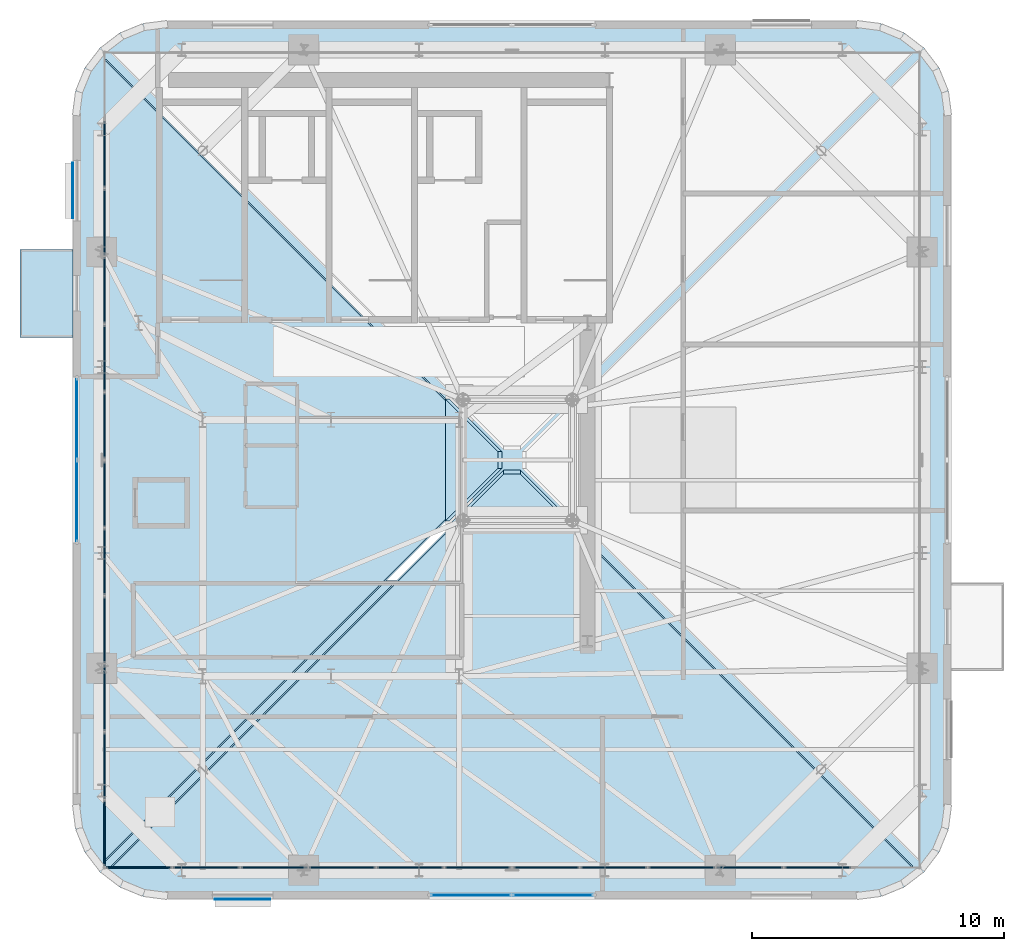
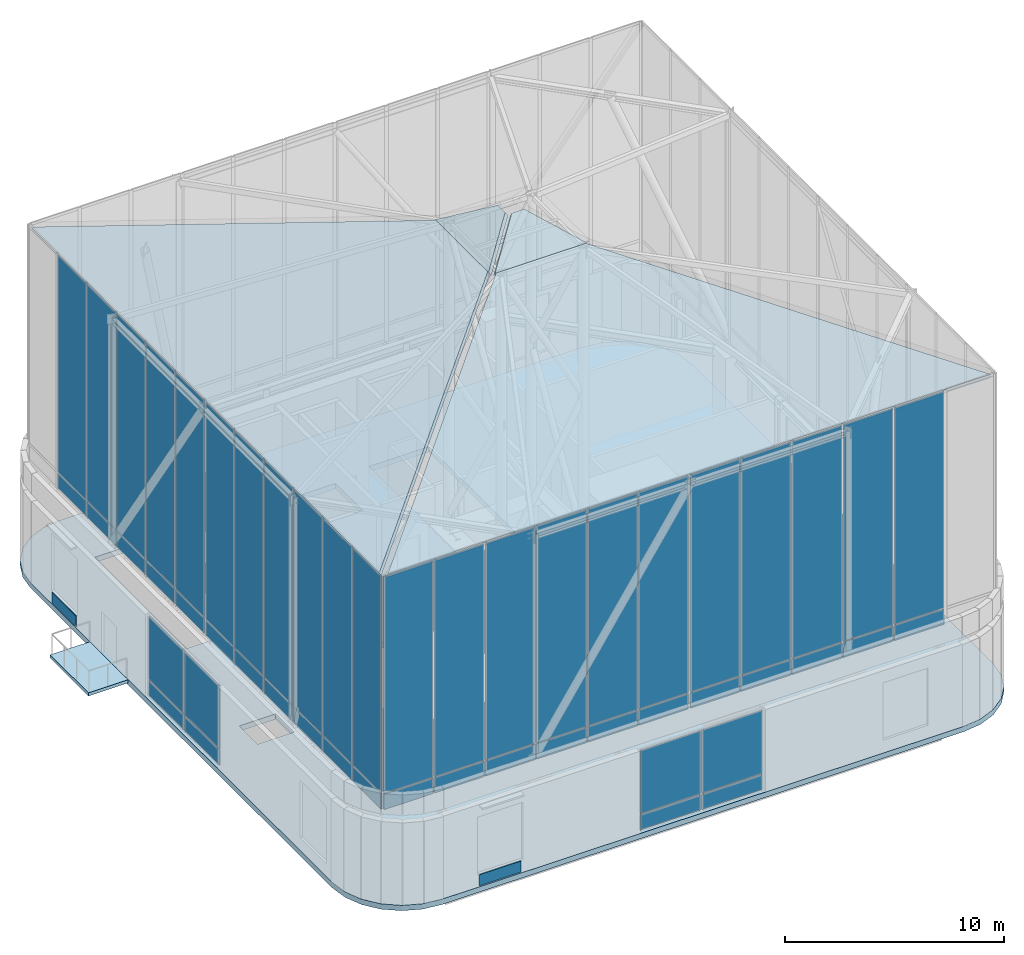
# One storey, part 9 of 15: 54 plates, 6 slabs, 6 elements without a shape of their own.
"""IFC4 building model written with IfcOpenShell, lengths in metres."""

import ifcopenshell
import ifcopenshell.guid

model = None  # the IFC model being written
_history = None  # IfcOwnerHistory: only IFC2X3 demands one
_inside = {}  # id of a spatial element -> (the spatial element, [elements in it])
_under = {}  # id of a project, library or spatial element -> (it, [spatial elements below it])
_declared = {}  # id of a project -> (the project, [libraries it declares])
_typed = {}  # id of a type object -> (the type object, [elements of that type])
_made_of = {}  # id of a material, layer set ... -> (it, [elements and type objects made of it])


def new_model(schema):
    """Start an empty IFC model of exactly this schema.

    Asked for "IFC4X3", IfcOpenShell would pick the latest addendum, in which some entities
    have other attributes; the version numbers below select the first issue.
    IFC2X3 requires an IfcOwnerHistory on every rooted entity: one is made here for all.
    """
    global model, _history
    if schema == "IFC4X3":
        model = ifcopenshell.file(schema_version=(4, 3, 0, 0))
    else:
        model = ifcopenshell.file(schema=schema)
    _inside.clear()
    _under.clear()
    _declared.clear()
    _typed.clear()
    _made_of.clear()
    _history = None
    if model.schema == "IFC2X3":
        org = make("IfcOrganization", Name="unknown")
        user = make(
            "IfcPersonAndOrganization",
            ThePerson=make("IfcPerson", FamilyName="unknown"),
            TheOrganization=org,
        )
        app = make(
            "IfcApplication",
            ApplicationDeveloper=org,
            Version="unknown",
            ApplicationFullName="unknown",
            ApplicationIdentifier="unknown",
        )
        _history = make(
            "IfcOwnerHistory",
            OwningUser=user,
            OwningApplication=app,
            ChangeAction="ADDED",
            CreationDate=0,
        )
    return model


def make(cls, **values):
    """One entity of the class cls with the attributes given. An attribute that is None is left unset."""
    return model.create_entity(
        cls, **{name: value for name, value in values.items() if value is not None}
    )


def rooted(cls, **values):
    """An entity with a GlobalId (a new one), such as an element, a storey or a relation."""
    return make(cls, GlobalId=ifcopenshell.guid.new(), OwnerHistory=_history, **values)


def si_unit(unit_type, name, prefix=None):
    """IfcSIUnit, for example si_unit("LENGTHUNIT", "METRE", prefix="MILLI")."""
    return make("IfcSIUnit", UnitType=unit_type, Prefix=prefix, Name=name)


def assignment(units):
    """IfcUnitAssignment: the units of a project."""
    return None if units is None else make("IfcUnitAssignment", Units=units)


def point(xyz):
    """IfcCartesianPoint."""
    return None if xyz is None else make("IfcCartesianPoint", Coordinates=xyz)


def direction(xyz):
    """IfcDirection."""
    return None if xyz is None else make("IfcDirection", DirectionRatios=xyz)


def frame(location, z_axis=None, x_axis=None):
    """IfcAxis2Placement3D, a coordinate frame: its origin and axes. An axis left out is left unset."""
    return make(
        "IfcAxis2Placement3D",
        Location=point(location),
        Axis=direction(z_axis),
        RefDirection=direction(x_axis),
    )


def frame_2d(location, x_axis=None):
    """IfcAxis2Placement2D, a coordinate frame in the plane: its origin and x axis."""
    return make(
        "IfcAxis2Placement2D", Location=point(location), RefDirection=direction(x_axis)
    )


def origin():
    """The frame at (0, 0, 0) with its axes left unset."""
    return frame((0.0, 0.0, 0.0))


def origin_2d():
    """The frame at (0, 0) in the plane with its x axis left unset."""
    return frame_2d((0.0, 0.0))


def place(relative_to, where):
    """IfcLocalPlacement: puts the frame where relative to a parent placement (None: the world)."""
    return make(
        "IfcLocalPlacement", PlacementRelTo=relative_to, RelativePlacement=where
    )


def context(
    kind, dimensions, precision=None, world=None, true_north=None, identifier=None
):
    """IfcGeometricRepresentationContext, for example the 3D "Model" context."""
    return make(
        "IfcGeometricRepresentationContext",
        ContextIdentifier=identifier,
        ContextType=kind,
        CoordinateSpaceDimension=dimensions,
        Precision=precision,
        WorldCoordinateSystem=world,
        TrueNorth=true_north,
    )


def subcontext(parent, identifier, kind, view, scale=None):
    """IfcGeometricRepresentationSubContext, for example "Body" below "Model"."""
    return make(
        "IfcGeometricRepresentationSubContext",
        ContextIdentifier=identifier,
        ContextType=kind,
        ParentContext=parent,
        TargetScale=scale,
        TargetView=view,
    )


def project(units=None, contexts=None):
    """IfcProject with its units and contexts."""
    return rooted(
        "IfcProject",
        Name="project",
        RepresentationContexts=contexts,
        UnitsInContext=assignment(units),
    )


def spatial(cls, under=None, at=None, **own):
    """A site, building, storey or space (cls), placed at a placement, below another one or the project."""
    s = rooted(cls, ObjectPlacement=at, **own)
    if under is not None:
        _under.setdefault(under.id(), (under, []))[1].append(s)
    return s


def polyline(points):
    """IfcPolyline through the points."""
    return make("IfcPolyline", Points=[point(p) for p in points])


def profile(cls, at=None, kind="AREA", **sizes):
    """A parametric profile (cls). Its sizes go by their IFC names, for example OverallWidth=200.0."""
    return make(cls, ProfileType=kind, Position=at, **sizes)


def rectangle(**sizes):
    """IfcRectangleProfileDef."""
    return profile("IfcRectangleProfileDef", **sizes)


def outline(outer, holes=None, kind="AREA"):
    """IfcArbitraryClosedProfileDef: a profile drawn as a closed curve; with holes, ...WithVoids."""
    if holes is None:
        return make("IfcArbitraryClosedProfileDef", ProfileType=kind, OuterCurve=outer)
    return make(
        "IfcArbitraryProfileDefWithVoids",
        ProfileType=kind,
        OuterCurve=outer,
        InnerCurves=holes,
    )


def extrude(swept, where, along, depth):
    """IfcExtrudedAreaSolid: the profile swept, set in the frame where, extruded along a direction by depth."""
    return make(
        "IfcExtrudedAreaSolid",
        SweptArea=swept,
        Position=where,
        ExtrudedDirection=direction(along),
        Depth=depth,
    )


def shape(context_of_items, identifier, shape_type, items):
    """IfcShapeRepresentation: the items that make up one representation, for example the "Body"."""
    return make(
        "IfcShapeRepresentation",
        ContextOfItems=context_of_items,
        RepresentationIdentifier=identifier,
        RepresentationType=shape_type,
        Items=items,
    )


def source(mapping_origin, context_of_items, identifier, shape_type, items):
    """IfcRepresentationMap: a shape defined once, which mapped items show again and again."""
    return make(
        "IfcRepresentationMap",
        MappingOrigin=mapping_origin,
        MappedRepresentation=shape(context_of_items, identifier, shape_type, items),
    )


def transform(
    local_origin,
    x_axis=None,
    y_axis=None,
    z_axis=None,
    scale=None,
    scale2=None,
    scale3=None,
    uniform=True,
):
    """IfcCartesianTransformationOperator3D, or its non-uniform kind. x_axis, y_axis, z_axis: its Axis1, 2, 3."""
    if uniform:
        return make(
            "IfcCartesianTransformationOperator3D",
            Axis1=direction(x_axis),
            Axis2=direction(y_axis),
            LocalOrigin=point(local_origin),
            Scale=scale,
            Axis3=direction(z_axis),
        )
    return make(
        "IfcCartesianTransformationOperator3DnonUniform",
        Axis1=direction(x_axis),
        Axis2=direction(y_axis),
        LocalOrigin=point(local_origin),
        Scale=scale,
        Axis3=direction(z_axis),
        Scale2=scale2,
        Scale3=scale3,
    )


def mapped(mapping_source, mapping_target):
    """IfcMappedItem: shows the shape of a source again, moved by a transform."""
    return make(
        "IfcMappedItem", MappingSource=mapping_source, MappingTarget=mapping_target
    )


def material(Name=None, Category=None):
    """IfcMaterial."""
    return make("IfcMaterial", Name=Name, Category=Category)


def layer(
    of_material, thickness, ventilated=None, Name=None, Category=None, Priority=None
):
    """IfcMaterialLayer: one layer of a wall or slab, of a material (None: an air gap)."""
    return make(
        "IfcMaterialLayer",
        Material=of_material,
        LayerThickness=thickness,
        IsVentilated=ventilated,
        Name=Name,
        Category=Category,
        Priority=Priority,
    )


def layer_set(layers, Name=None):
    """IfcMaterialLayerSet."""
    return make("IfcMaterialLayerSet", MaterialLayers=layers, LayerSetName=Name)


def made_of(thing, what):
    """Note that an element or type object is made of a material, layer set ...; save() writes the relation."""
    if what is not None:
        _made_of.setdefault(what.id(), (what, []))[1].append(thing)
    return thing


def type_object(cls, material=None, **own):
    """A type object (cls), such as IfcWallType, which elements share."""
    return made_of(rooted(cls, **own), material)


def element(
    cls,
    number,
    at=None,
    inside=None,
    cuts=None,
    type_object=None,
    material=None,
    context=None,
    identifier="Body",
    shape_type=None,
    held_by="IfcProductDefinitionShape",
    body=None,
    shapes=None,
    **own,
):
    """One element of the class cls, such as IfcWall. Its Tag is "e" and its number.

    at: its placement. inside: the storey or other place that contains it. cuts: it is an
    opening in that element (IfcRelVoidsElement). A single representation is given by context,
    identifier, shape_type and body (its items); several are given by shapes. held_by: the class
    of the entity that holds the representations. save() writes the other relations.
    """
    e = rooted(cls, Tag="e%d" % number, ObjectPlacement=at, **own)
    if body is not None:
        shapes = [shape(context, identifier, shape_type, body)]
    if shapes is not None:
        e.Representation = make(held_by, Representations=shapes)
    if inside is not None:
        _inside.setdefault(inside.id(), (inside, []))[1].append(e)
    if cuts is not None:
        rooted(
            "IfcRelVoidsElement", RelatingBuildingElement=cuts, RelatedOpeningElement=e
        )
    if type_object is not None:
        _typed.setdefault(type_object.id(), (type_object, []))[1].append(e)
    return made_of(e, material)


def aggregate(whole, parts):
    """IfcRelAggregates: a whole, such as a stair, and the parts it consists of."""
    return rooted("IfcRelAggregates", RelatingObject=whole, RelatedObjects=parts)


def save(model, path):
    """Write the relations noted so far, then the file.

    IfcRelAggregates (storeys below a building ...), IfcRelContainedInSpatialStructure (elements
    in a storey), IfcRelDefinesByType, IfcRelAssociatesMaterial and IfcRelDeclares: one each for
    every whole, place, type object, material and project.
    """
    for whole, parts in _under.values():
        aggregate(whole, parts)
    for where, things in _inside.values():
        rooted(
            "IfcRelContainedInSpatialStructure",
            RelatedElements=things,
            RelatingStructure=where,
        )
    for kind, things in _typed.values():
        rooted("IfcRelDefinesByType", RelatedObjects=things, RelatingType=kind)
    for what, things in _made_of.values():
        rooted("IfcRelAssociatesMaterial", RelatedObjects=things, RelatingMaterial=what)
    for by, libraries in _declared.values():
        rooted("IfcRelDeclares", RelatingContext=by, RelatedDefinitions=libraries)
    model.write(path)


model = new_model("IFC4")

# Units and contexts
model_context = context("Model", 3, precision=1e-05, world=origin(), true_north=direction((0.0, 1.0)))
body_context = subcontext(model_context, "Body", "Model", "MODEL_VIEW")
ifc_project = project(units=[si_unit("LENGTHUNIT", "METRE"), si_unit("AREAUNIT", "SQUARE_METRE"), si_unit("VOLUMEUNIT", "CUBIC_METRE"), si_unit("PLANEANGLEUNIT", "RADIAN"), si_unit("MASSUNIT", "GRAM", prefix="KILO")], contexts=[model_context])

# Site, building, storey
site_placement = place(None, origin())
site = spatial("IfcSite", under=ifc_project, at=site_placement, CompositionType="ELEMENT")
building_placement = place(site_placement, origin())
building = spatial("IfcBuilding", under=site, at=building_placement, Name="Vardaveli Station Tower", CompositionType="ELEMENT")
storey_placement = place(building_placement, frame((0.0, 0.0, 301.14990234375)))
storey = spatial("IfcBuildingStorey", under=building, at=storey_placement, Name="L76", CompositionType="ELEMENT", Elevation=301.14990234375)

# Slabs
ifc_material_1 = material(Name="Concrete C40/50", Category="concrete")
ifc_layer_1 = layer(ifc_material_1, 0.280029296875, Name="Concrete C40/50")
ifc_layer_set_1 = layer_set([ifc_layer_1], Name="Concrete C40/50")
slab_type_1 = type_object("IfcSlabType", Name="SLB-CROWN-280", PredefinedType="ROOF", material=ifc_layer_set_1)
slab_1_placement = place(storey_placement, frame((27.580078125, 9.0, 18.150146484375), z_axis=(0.0, -0.273303879802, 0.961927746395), x_axis=(1.0, 0.0, 0.0)))
element("IfcSlab", 1, at=slab_1_placement, inside=storey, type_object=slab_type_1, Name="SLB-CROWN-SOUTH", PredefinedType="ROOF", context=body_context, shape_type="SweptSolid", body=[
    extrude(outline(polyline([(0.0, 0.0), (31.83984375, 0.0), (18.2900390625, 14.08642578125), (13.5498046875, 14.08642578125), (0.0, 0.0)])), origin(), (0.0, 0.0, -1.0), 0.280029296875),
])
slab_2_placement = place(storey_placement, frame((27.300048828125, 41.1201171875, 18.150146484375), z_axis=(-0.273303879802, 0.0, 0.961927746395), x_axis=(0.0, -1.0, 0.0)))
element("IfcSlab", 2, at=slab_2_placement, inside=storey, type_object=slab_type_1, Name="SLB-CROWN-WEST", PredefinedType="ROOF", context=body_context, shape_type="SweptSolid", body=[
    extrude(outline(polyline([(0.0, 0.0), (31.840087890625, 0.0), (18.2900390625, 14.08642578125), (13.550048828125, 14.08642578125), (0.0, 0.0)])), origin(), (0.0, 0.0, -1.0), 0.280029296875),
])
slab_3_placement = place(storey_placement, frame((41.070068359375, 22.550048828125, 22.0), z_axis=(0.0, -0.540811960531, 0.841143521253), x_axis=(1.0, 0.0, 0.0)))
element("IfcSlab", 3, at=slab_3_placement, inside=storey, type_object=slab_type_1, Name="SLB-CROWN-APXS", PredefinedType="ROOF", context=body_context, shape_type="SweptSolid", body=[
    extrude(outline(polyline([(0.0, 0.0), (4.85986328125, 0.0), (2.760009765625, 2.496337890625), (2.099853515625, 2.496337890625), (0.0, 0.0)])), origin(), (0.0, 0.0, -1.0), 0.280029296875),
])
slab_4_placement = place(storey_placement, frame((40.85009765625, 27.6298828125, 22.0), z_axis=(-0.540811960531, 0.0, 0.841143521253), x_axis=(0.0, -1.0, 0.0)))
element("IfcSlab", 4, at=slab_4_placement, inside=storey, type_object=slab_type_1, Name="SLB-CROWN-APXW", PredefinedType="ROOF", context=body_context, shape_type="SweptSolid", body=[
    extrude(outline(polyline([(0.0, 0.0), (4.85986328125, 0.0), (2.759765625, 2.496337890625), (2.099853515625, 2.496337890625), (0.0, 0.0)])), origin(), (0.0, 0.0, -1.0), 0.280029296875),
])
ifc_material_2 = material(Name="Precast concrete C45/55", Category="concrete")
ifc_layer_2 = layer(ifc_material_2, 0.179931640625, Name="Precast concrete C45/55")
ifc_layer_set_2 = layer_set([ifc_layer_2], Name="Precast concrete C45/55")
slab_type_2 = type_object("IfcSlabType", Name="SLB-LOGGIA-180", PredefinedType="FLOOR", material=ifc_layer_set_2)
slab_5_placement = place(storey_placement, frame((0.0, 0.0, -0.179931640625)))
element("IfcSlab", 5, at=slab_5_placement, inside=storey, type_object=slab_type_2, Name="LOG-L76-W", PredefinedType="FLOOR", context=body_context, shape_type="SweptSolid", body=[
    extrude(outline(polyline([(23.93994140625, 30.07861328125), (26.0400390625, 30.07861328125), (26.0400390625, 33.57861328125), (23.93994140625, 33.57861328125), (23.93994140625, 30.07861328125)])), origin(), (0.0, 0.0, 1.0), 0.179931640625),
])
ifc_material_3 = material(Name="Concrete C50/60", Category="concrete")
ifc_layer_3 = layer(ifc_material_3, 0.300048828125, Name="Concrete C50/60")
ifc_layer_set_3 = layer_set([ifc_layer_3], Name="Concrete C50/60")
slab_type_3 = type_object("IfcSlabType", Name="SLB-REF-300", PredefinedType="FLOOR", material=ifc_layer_set_3)
slab_6_placement = place(storey_placement, frame((0.0, 0.0, -0.2998046875)))
element("IfcSlab", 6, at=slab_6_placement, inside=storey, type_object=slab_type_3, Name="SLB-L76-MAIN", PredefinedType="FLOOR", context=body_context, shape_type="SweptSolid", body=[
    extrude(outline(polyline([(26.0400390625, 11.406982421875), (26.1650390625, 10.4580078125), (26.53125, 9.573486328125), (27.114013671875, 8.81396484375), (27.87353515625, 8.231201171875), (28.7578125, 7.864990234375), (29.70703125, 7.739990234375), (57.29296875, 7.739990234375), (58.2421875, 7.864990234375), (59.12646484375, 8.231201171875), (59.885986328125, 8.81396484375), (60.46875, 9.573486328125), (60.8349609375, 10.4580078125), (60.9599609375, 11.406982421875), (60.9599609375, 38.992919921875), (60.8349609375, 39.942138671875), (60.46875, 40.826416015625), (59.885986328125, 41.5859375), (59.12646484375, 42.168701171875), (58.2421875, 42.53515625), (57.29296875, 42.659912109375), (29.70703125, 42.659912109375), (28.7578125, 42.53515625), (27.87353515625, 42.168701171875), (27.114013671875, 41.5859375), (26.53125, 40.826416015625), (26.1650390625, 39.942138671875), (26.0400390625, 38.992919921875), (26.0400390625, 11.406982421875)]), holes=[polyline([(35.0, 20.39990234375), (41.39990234375, 20.39990234375), (41.39990234375, 26.800048828125), (35.0, 26.800048828125), (35.0, 20.39990234375)]), polyline([(32.75, 30.89990234375), (32.75, 39.300048828125), (29.60009765625, 39.300048828125), (29.60009765625, 30.89990234375), (32.75, 30.89990234375)]), polyline([(39.5, 30.89990234375), (39.5, 39.300048828125), (36.35009765625, 39.300048828125), (36.35009765625, 30.89990234375), (39.5, 30.89990234375)]), polyline([(47.25, 30.89990234375), (47.25, 39.300048828125), (44.10009765625, 39.300048828125), (44.10009765625, 30.89990234375), (47.25, 30.89990234375)]), polyline([(33.659912109375, 36.409912109375), (35.43994140625, 36.409912109375), (35.43994140625, 38.889892578125), (33.659912109375, 38.889892578125), (33.659912109375, 36.409912109375)]), polyline([(40.31005859375, 36.409912109375), (42.090087890625, 36.409912109375), (42.090087890625, 38.889892578125), (40.31005859375, 38.889892578125), (40.31005859375, 36.409912109375)]), polyline([(28.5849609375, 22.659912109375), (30.514892578125, 22.659912109375), (30.514892578125, 24.340087890625), (28.5849609375, 24.340087890625), (28.5849609375, 22.659912109375)])]), origin(), (0.0, 0.0, 1.0), 0.2998046875),
])

# Plates
ifc_material_4 = material(Name="Honed Caucasian travertine stone", Category="masonry")
ifc_layer_4 = layer(ifc_material_4, 0.034912109375, Name="Honed Caucasian travertine stone")
ifc_layer_set_4 = layer_set([ifc_layer_4], Name="Honed Caucasian travertine stone")
plate_type_1 = type_object("IfcPlateType", Name="PLT-TRAV-35", PredefinedType="SHEET", material=ifc_layer_set_4)
shared_shape_1 = source(origin(), body_context, "Body", "SweptSolid", [
    extrude(rectangle(XDim=2.199951171875, YDim=0.034912109375, at=origin_2d()), origin(), (0.0, 0.0, 1.0), 0.6201171875),
])
for number, where, z_axis, x_axis, name in (
    (7, (32.79052734375, 7.73046875, 0.070068359375), (0.0, 0.0, 1.0), (1.0, 0.0, 0.0), "PLT-TR-L76-S"),
    (8, (26.030517578125, 35.909423828125, 0.070068359375), (0.0, 0.0, 1.0), (0.0, 1.0, 0.0), "PLT-TR-L76-W"),
):
    element("IfcPlate", number, at=place(storey_placement, frame(where, z_axis=z_axis, x_axis=x_axis)), inside=storey, type_object=plate_type_1, Name=name, PredefinedType="SHEET", context=body_context, shape_type="MappedRepresentation", body=[
        mapped(shared_shape_1, transform((0.0, 0.0, 0.0), scale=1.0)),
    ])

# Curtain wall, plates
ifc_material_5 = material(Name="Travertine stone and solar-control glass", Category="masonry")
curtain_wall_type_1 = type_object("IfcCurtainWallType", Name="CW-SYS-5", PredefinedType="NOTDEFINED", material=ifc_material_5)
curtain_wall_1_placement = place(storey_placement, origin())
curtain_wall_1 = element("IfcCurtainWall", 9, at=curtain_wall_1_placement, inside=storey, type_object=curtain_wall_type_1, Name="CW-L76-S", PredefinedType="NOTDEFINED")
ifc_material_6 = material(Name="Double-glazed low-E solar-control glass", Category="glass")
ifc_layer_5 = layer(ifc_material_6, 0.031982421875, Name="Double-glazed low-E solar-control glass")
ifc_layer_set_5 = layer_set([ifc_layer_5], Name="Double-glazed low-E solar-control glass")
plate_type_2 = type_object("IfcPlateType", Name="CW-SYS-5-PAN", PredefinedType="CURTAIN_PANEL", material=ifc_layer_set_5)
shared_shape_2 = source(origin(), body_context, "Body", "SweptSolid", [
    extrude(rectangle(XDim=3.179931640625, YDim=0.031982421875, at=origin_2d()), origin(), (0.0, 0.0, 1.0), 0.830078125),
])
plate_1_placement = place(storey_placement, frame((41.8701171875, 7.89990234375, 0.080078125), z_axis=(0.0, 0.0, 1.0), x_axis=(1.0, 0.0, 0.0)))
plate_1 = element("IfcPlate", 10, at=plate_1_placement, type_object=plate_type_2, Name="CW-5 panel 1.1", PredefinedType="CURTAIN_PANEL", context=body_context, shape_type="MappedRepresentation", body=[
    mapped(shared_shape_2, transform((0.0, 0.0, 0.0), scale=1.0)),
])
plate_2_placement = place(storey_placement, frame((45.1298828125, 7.89990234375, 0.080078125), z_axis=(0.0, 0.0, 1.0), x_axis=(1.0, 0.0, 0.0)))
plate_2 = element("IfcPlate", 11, at=plate_2_placement, type_object=plate_type_2, Name="CW-5 panel 2.1", PredefinedType="CURTAIN_PANEL", context=body_context, shape_type="MappedRepresentation", body=[
    mapped(shared_shape_2, transform((0.0, 0.0, 0.0), scale=1.0)),
])

curtain_wall_2_placement = place(storey_placement, origin())
curtain_wall_2 = element("IfcCurtainWall", 12, at=curtain_wall_2_placement, inside=storey, type_object=curtain_wall_type_1, Name="CW-L76-W", PredefinedType="NOTDEFINED")
plate_3_placement = place(storey_placement, frame((26.199951171875, 26.830078125, 0.080078125), z_axis=(0.0, 0.0, 1.0), x_axis=(0.0, -1.0, 0.0)))
plate_3 = element("IfcPlate", 13, at=plate_3_placement, type_object=plate_type_2, Name="CW-5 panel 1.1", PredefinedType="CURTAIN_PANEL", context=body_context, shape_type="MappedRepresentation", body=[
    mapped(shared_shape_2, transform((0.0, 0.0, 0.0), scale=1.0)),
])
plate_4_placement = place(storey_placement, frame((26.199951171875, 23.570068359375, 0.080078125), z_axis=(0.0, 0.0, 1.0), x_axis=(0.0, -1.0, 0.0)))
plate_4 = element("IfcPlate", 14, at=plate_4_placement, type_object=plate_type_2, Name="CW-5 panel 2.1", PredefinedType="CURTAIN_PANEL", context=body_context, shape_type="MappedRepresentation", body=[
    mapped(shared_shape_2, transform((0.0, 0.0, 0.0), scale=1.0)),
])

# Plate
shared_shape_3 = source(origin(), body_context, "Body", "SweptSolid", [
    extrude(rectangle(XDim=3.179931640625, YDim=0.031982421875, at=origin_2d()), origin(), (0.0, 0.0, 1.0), 3.530029296875),
])
plate_5_placement = place(storey_placement, frame((41.8701171875, 7.89990234375, 0.990234375), z_axis=(0.0, 0.0, 1.0), x_axis=(1.0, 0.0, 0.0)))
plate_5 = element("IfcPlate", 15, at=plate_5_placement, type_object=plate_type_2, Name="CW-5 panel 1.2", PredefinedType="CURTAIN_PANEL", context=body_context, shape_type="MappedRepresentation", body=[
    mapped(shared_shape_3, transform((0.0, 0.0, 0.0), scale=1.0)),
])

plate_6_placement = place(storey_placement, frame((45.1298828125, 7.89990234375, 0.990234375), z_axis=(0.0, 0.0, 1.0), x_axis=(1.0, 0.0, 0.0)))
plate_6 = element("IfcPlate", 16, at=plate_6_placement, type_object=plate_type_2, Name="CW-5 panel 2.2", PredefinedType="CURTAIN_PANEL", context=body_context, shape_type="MappedRepresentation", body=[
    mapped(shared_shape_3, transform((0.0, 0.0, 0.0), scale=1.0)),
])

aggregate(curtain_wall_1, [plate_1, plate_5, plate_2, plate_6])

plate_7_placement = place(storey_placement, frame((26.199951171875, 26.830078125, 0.990234375), z_axis=(0.0, 0.0, 1.0), x_axis=(0.0, -1.0, 0.0)))
plate_7 = element("IfcPlate", 17, at=plate_7_placement, type_object=plate_type_2, Name="CW-5 panel 1.2", PredefinedType="CURTAIN_PANEL", context=body_context, shape_type="MappedRepresentation", body=[
    mapped(shared_shape_3, transform((0.0, 0.0, 0.0), scale=1.0)),
])

plate_8_placement = place(storey_placement, frame((26.199951171875, 23.570068359375, 0.990234375), z_axis=(0.0, 0.0, 1.0), x_axis=(0.0, -1.0, 0.0)))
plate_8 = element("IfcPlate", 18, at=plate_8_placement, type_object=plate_type_2, Name="CW-5 panel 2.2", PredefinedType="CURTAIN_PANEL", context=body_context, shape_type="MappedRepresentation", body=[
    mapped(shared_shape_3, transform((0.0, 0.0, 0.0), scale=1.0)),
])

aggregate(curtain_wall_2, [plate_3, plate_7, plate_4, plate_8])

# Curtain wall, plates
curtain_wall_type_2 = type_object("IfcCurtainWallType", Name="CW-SYS-6", PredefinedType="NOTDEFINED", material=ifc_material_5)
curtain_wall_3_placement = place(storey_placement, origin())
curtain_wall_3 = element("IfcCurtainWall", 19, at=curtain_wall_3_placement, inside=storey, type_object=curtain_wall_type_2, Name="CW-L76-CRN-S1", PredefinedType="NOTDEFINED")
ifc_layer_6 = layer(ifc_material_6, 0.053955078125, Name="Double-glazed low-E solar-control glass")
ifc_layer_set_6 = layer_set([ifc_layer_6], Name="Double-glazed low-E solar-control glass")
plate_type_3 = type_object("IfcPlateType", Name="CW-SYS-6-PAN", PredefinedType="CURTAIN_PANEL", material=ifc_layer_set_6)
shared_shape_4 = source(origin(), body_context, "Body", "SweptSolid", [
    extrude(rectangle(XDim=2.58740234375, YDim=0.053955078125, at=origin_2d()), origin(), (0.0, 0.0, 1.0), 0.83740234375),
])
plate_9_placement = place(storey_placement, frame((28.668701171875, 9.0, 5.0751953125), z_axis=(0.0, 0.0, 1.0), x_axis=(1.0, 0.0, 0.0)))
plate_9 = element("IfcPlate", 20, at=plate_9_placement, type_object=plate_type_3, Name="CW-6 panel 1.1", PredefinedType="CURTAIN_PANEL", context=body_context, shape_type="MappedRepresentation", body=[
    mapped(shared_shape_4, transform((0.0, 0.0, 0.0), scale=1.0)),
])
plate_10_placement = place(storey_placement, frame((42.13134765625, 9.0, 5.0751953125), z_axis=(0.0, 0.0, 1.0), x_axis=(1.0, 0.0, 0.0)))
plate_10 = element("IfcPlate", 21, at=plate_10_placement, type_object=plate_type_3, Name="CW-6 panel 6.1", PredefinedType="CURTAIN_PANEL", context=body_context, shape_type="MappedRepresentation", body=[
    mapped(shared_shape_4, transform((0.0, 0.0, 0.0), scale=1.0)),
])

# Curtain wall, plate
curtain_wall_4_placement = place(storey_placement, origin())
curtain_wall_4 = element("IfcCurtainWall", 22, at=curtain_wall_4_placement, inside=storey, type_object=curtain_wall_type_2, Name="CW-L76-CRN-S2", PredefinedType="NOTDEFINED")
plate_11_placement = place(storey_placement, frame((44.86865234375, 9.0, 5.0751953125), z_axis=(0.0, 0.0, 1.0), x_axis=(1.0, 0.0, 0.0)))
plate_11 = element("IfcPlate", 23, at=plate_11_placement, type_object=plate_type_3, Name="CW-6 panel 1.1", PredefinedType="CURTAIN_PANEL", context=body_context, shape_type="MappedRepresentation", body=[
    mapped(shared_shape_4, transform((0.0, 0.0, 0.0), scale=1.0)),
])

curtain_wall_5_placement = place(storey_placement, origin())
curtain_wall_5 = element("IfcCurtainWall", 24, at=curtain_wall_5_placement, inside=storey, type_object=curtain_wall_type_2, Name="CW-L76-CRN-W1", PredefinedType="NOTDEFINED")
plate_12_placement = place(storey_placement, frame((27.300048828125, 26.56884765625, 5.0751953125), z_axis=(0.0, 0.0, 1.0), x_axis=(0.0, -1.0, 0.0)))
plate_12 = element("IfcPlate", 25, at=plate_12_placement, type_object=plate_type_3, Name="CW-6 panel 6.1", PredefinedType="CURTAIN_PANEL", context=body_context, shape_type="MappedRepresentation", body=[
    mapped(shared_shape_4, transform((0.0, 0.0, 0.0), scale=1.0)),
])

# Curtain wall, plates
curtain_wall_6_placement = place(storey_placement, origin())
curtain_wall_6 = element("IfcCurtainWall", 26, at=curtain_wall_6_placement, inside=storey, type_object=curtain_wall_type_2, Name="CW-L76-CRN-W2", PredefinedType="NOTDEFINED")
plate_13_placement = place(storey_placement, frame((27.300048828125, 23.831298828125, 5.0751953125), z_axis=(0.0, 0.0, 1.0), x_axis=(0.0, -1.0, 0.0)))
plate_13 = element("IfcPlate", 27, at=plate_13_placement, type_object=plate_type_3, Name="CW-6 panel 1.1", PredefinedType="CURTAIN_PANEL", context=body_context, shape_type="MappedRepresentation", body=[
    mapped(shared_shape_4, transform((0.0, 0.0, 0.0), scale=1.0)),
])
plate_14_placement = place(storey_placement, frame((27.300048828125, 10.36865234375, 5.0751953125), z_axis=(0.0, 0.0, 1.0), x_axis=(0.0, -1.0, 0.0)))
plate_14 = element("IfcPlate", 28, at=plate_14_placement, type_object=plate_type_3, Name="CW-6 panel 6.1", PredefinedType="CURTAIN_PANEL", context=body_context, shape_type="MappedRepresentation", body=[
    mapped(shared_shape_4, transform((0.0, 0.0, 0.0), scale=1.0)),
])

# Plate
shared_shape_5 = source(origin(), body_context, "Body", "SweptSolid", [
    extrude(rectangle(XDim=2.58740234375, YDim=0.053955078125, at=origin_2d()), origin(), (0.0, 0.0, 1.0), 12.08740234375),
])
plate_15_placement = place(storey_placement, frame((28.668701171875, 9.0, 5.987548828125), z_axis=(0.0, 0.0, 1.0), x_axis=(1.0, 0.0, 0.0)))
plate_15 = element("IfcPlate", 29, at=plate_15_placement, type_object=plate_type_3, Name="CW-6 panel 1.2", PredefinedType="CURTAIN_PANEL", context=body_context, shape_type="MappedRepresentation", body=[
    mapped(shared_shape_5, transform((0.0, 0.0, 0.0), scale=1.0)),
])

plate_16_placement = place(storey_placement, frame((42.13134765625, 9.0, 5.987548828125), z_axis=(0.0, 0.0, 1.0), x_axis=(1.0, 0.0, 0.0)))
plate_16 = element("IfcPlate", 30, at=plate_16_placement, type_object=plate_type_3, Name="CW-6 panel 6.2", PredefinedType="CURTAIN_PANEL", context=body_context, shape_type="MappedRepresentation", body=[
    mapped(shared_shape_5, transform((0.0, 0.0, 0.0), scale=1.0)),
])

plate_17_placement = place(storey_placement, frame((44.86865234375, 9.0, 5.987548828125), z_axis=(0.0, 0.0, 1.0), x_axis=(1.0, 0.0, 0.0)))
plate_17 = element("IfcPlate", 31, at=plate_17_placement, type_object=plate_type_3, Name="CW-6 panel 1.2", PredefinedType="CURTAIN_PANEL", context=body_context, shape_type="MappedRepresentation", body=[
    mapped(shared_shape_5, transform((0.0, 0.0, 0.0), scale=1.0)),
])

plate_18_placement = place(storey_placement, frame((27.300048828125, 26.56884765625, 5.987548828125), z_axis=(0.0, 0.0, 1.0), x_axis=(0.0, -1.0, 0.0)))
plate_18 = element("IfcPlate", 32, at=plate_18_placement, type_object=plate_type_3, Name="CW-6 panel 6.2", PredefinedType="CURTAIN_PANEL", context=body_context, shape_type="MappedRepresentation", body=[
    mapped(shared_shape_5, transform((0.0, 0.0, 0.0), scale=1.0)),
])

plate_19_placement = place(storey_placement, frame((27.300048828125, 23.831298828125, 5.987548828125), z_axis=(0.0, 0.0, 1.0), x_axis=(0.0, -1.0, 0.0)))
plate_19 = element("IfcPlate", 33, at=plate_19_placement, type_object=plate_type_3, Name="CW-6 panel 1.2", PredefinedType="CURTAIN_PANEL", context=body_context, shape_type="MappedRepresentation", body=[
    mapped(shared_shape_5, transform((0.0, 0.0, 0.0), scale=1.0)),
])

plate_20_placement = place(storey_placement, frame((27.300048828125, 10.36865234375, 5.987548828125), z_axis=(0.0, 0.0, 1.0), x_axis=(0.0, -1.0, 0.0)))
plate_20 = element("IfcPlate", 34, at=plate_20_placement, type_object=plate_type_3, Name="CW-6 panel 6.2", PredefinedType="CURTAIN_PANEL", context=body_context, shape_type="MappedRepresentation", body=[
    mapped(shared_shape_5, transform((0.0, 0.0, 0.0), scale=1.0)),
])

shared_shape_6 = source(origin(), body_context, "Body", "SweptSolid", [
    extrude(rectangle(XDim=2.625, YDim=0.053955078125, at=origin_2d()), origin(), (0.0, 0.0, 1.0), 0.83740234375),
])
plate_21_placement = place(storey_placement, frame((31.35009765625, 9.0, 5.0751953125), z_axis=(0.0, 0.0, 1.0), x_axis=(1.0, 0.0, 0.0)))
plate_21 = element("IfcPlate", 35, at=plate_21_placement, type_object=plate_type_3, Name="CW-6 panel 2.1", PredefinedType="CURTAIN_PANEL", context=body_context, shape_type="MappedRepresentation", body=[
    mapped(shared_shape_6, transform((0.0, 0.0, 0.0), scale=1.0)),
])

plate_22_placement = place(storey_placement, frame((34.050048828125, 9.0, 5.0751953125), z_axis=(0.0, 0.0, 1.0), x_axis=(1.0, 0.0, 0.0)))
plate_22 = element("IfcPlate", 36, at=plate_22_placement, type_object=plate_type_3, Name="CW-6 panel 3.1", PredefinedType="CURTAIN_PANEL", context=body_context, shape_type="MappedRepresentation", body=[
    mapped(shared_shape_6, transform((0.0, 0.0, 0.0), scale=1.0)),
])

plate_23_placement = place(storey_placement, frame((36.75, 9.0, 5.0751953125), z_axis=(0.0, 0.0, 1.0), x_axis=(1.0, 0.0, 0.0)))
plate_23 = element("IfcPlate", 37, at=plate_23_placement, type_object=plate_type_3, Name="CW-6 panel 4.1", PredefinedType="CURTAIN_PANEL", context=body_context, shape_type="MappedRepresentation", body=[
    mapped(shared_shape_6, transform((0.0, 0.0, 0.0), scale=1.0)),
])

plate_24_placement = place(storey_placement, frame((39.449951171875, 9.0, 5.0751953125), z_axis=(0.0, 0.0, 1.0), x_axis=(1.0, 0.0, 0.0)))
plate_24 = element("IfcPlate", 38, at=plate_24_placement, type_object=plate_type_3, Name="CW-6 panel 5.1", PredefinedType="CURTAIN_PANEL", context=body_context, shape_type="MappedRepresentation", body=[
    mapped(shared_shape_6, transform((0.0, 0.0, 0.0), scale=1.0)),
])

plate_25_placement = place(storey_placement, frame((47.550048828125, 9.0, 5.0751953125), z_axis=(0.0, 0.0, 1.0), x_axis=(1.0, 0.0, 0.0)))
plate_25 = element("IfcPlate", 39, at=plate_25_placement, type_object=plate_type_3, Name="CW-6 panel 2.1", PredefinedType="CURTAIN_PANEL", context=body_context, shape_type="MappedRepresentation", body=[
    mapped(shared_shape_6, transform((0.0, 0.0, 0.0), scale=1.0)),
])

plate_26_placement = place(storey_placement, frame((50.25, 9.0, 5.0751953125), z_axis=(0.0, 0.0, 1.0), x_axis=(1.0, 0.0, 0.0)))
plate_26 = element("IfcPlate", 40, at=plate_26_placement, type_object=plate_type_3, Name="CW-6 panel 3.1", PredefinedType="CURTAIN_PANEL", context=body_context, shape_type="MappedRepresentation", body=[
    mapped(shared_shape_6, transform((0.0, 0.0, 0.0), scale=1.0)),
])

plate_27_placement = place(storey_placement, frame((52.949951171875, 9.0, 5.0751953125), z_axis=(0.0, 0.0, 1.0), x_axis=(1.0, 0.0, 0.0)))
plate_27 = element("IfcPlate", 41, at=plate_27_placement, type_object=plate_type_3, Name="CW-6 panel 4.1", PredefinedType="CURTAIN_PANEL", context=body_context, shape_type="MappedRepresentation", body=[
    mapped(shared_shape_6, transform((0.0, 0.0, 0.0), scale=1.0)),
])

plate_28_placement = place(storey_placement, frame((55.64990234375, 9.0, 5.0751953125), z_axis=(0.0, 0.0, 1.0), x_axis=(1.0, 0.0, 0.0)))
plate_28 = element("IfcPlate", 42, at=plate_28_placement, type_object=plate_type_3, Name="CW-6 panel 5.1", PredefinedType="CURTAIN_PANEL", context=body_context, shape_type="MappedRepresentation", body=[
    mapped(shared_shape_6, transform((0.0, 0.0, 0.0), scale=1.0)),
])

plate_29_placement = place(storey_placement, frame((27.300048828125, 37.35009765625, 5.0751953125), z_axis=(0.0, 0.0, 1.0), x_axis=(0.0, -1.0, 0.0)))
plate_29 = element("IfcPlate", 43, at=plate_29_placement, type_object=plate_type_3, Name="CW-6 panel 2.1", PredefinedType="CURTAIN_PANEL", context=body_context, shape_type="MappedRepresentation", body=[
    mapped(shared_shape_6, transform((0.0, 0.0, 0.0), scale=1.0)),
])

plate_30_placement = place(storey_placement, frame((27.300048828125, 34.64990234375, 5.0751953125), z_axis=(0.0, 0.0, 1.0), x_axis=(0.0, -1.0, 0.0)))
plate_30 = element("IfcPlate", 44, at=plate_30_placement, type_object=plate_type_3, Name="CW-6 panel 3.1", PredefinedType="CURTAIN_PANEL", context=body_context, shape_type="MappedRepresentation", body=[
    mapped(shared_shape_6, transform((0.0, 0.0, 0.0), scale=1.0)),
])

plate_31_placement = place(storey_placement, frame((27.300048828125, 31.949951171875, 5.0751953125), z_axis=(0.0, 0.0, 1.0), x_axis=(0.0, -1.0, 0.0)))
plate_31 = element("IfcPlate", 45, at=plate_31_placement, type_object=plate_type_3, Name="CW-6 panel 4.1", PredefinedType="CURTAIN_PANEL", context=body_context, shape_type="MappedRepresentation", body=[
    mapped(shared_shape_6, transform((0.0, 0.0, 0.0), scale=1.0)),
])

plate_32_placement = place(storey_placement, frame((27.300048828125, 29.25, 5.0751953125), z_axis=(0.0, 0.0, 1.0), x_axis=(0.0, -1.0, 0.0)))
plate_32 = element("IfcPlate", 46, at=plate_32_placement, type_object=plate_type_3, Name="CW-6 panel 5.1", PredefinedType="CURTAIN_PANEL", context=body_context, shape_type="MappedRepresentation", body=[
    mapped(shared_shape_6, transform((0.0, 0.0, 0.0), scale=1.0)),
])

plate_33_placement = place(storey_placement, frame((27.300048828125, 21.14990234375, 5.0751953125), z_axis=(0.0, 0.0, 1.0), x_axis=(0.0, -1.0, 0.0)))
plate_33 = element("IfcPlate", 47, at=plate_33_placement, type_object=plate_type_3, Name="CW-6 panel 2.1", PredefinedType="CURTAIN_PANEL", context=body_context, shape_type="MappedRepresentation", body=[
    mapped(shared_shape_6, transform((0.0, 0.0, 0.0), scale=1.0)),
])

plate_34_placement = place(storey_placement, frame((27.300048828125, 18.449951171875, 5.0751953125), z_axis=(0.0, 0.0, 1.0), x_axis=(0.0, -1.0, 0.0)))
plate_34 = element("IfcPlate", 48, at=plate_34_placement, type_object=plate_type_3, Name="CW-6 panel 3.1", PredefinedType="CURTAIN_PANEL", context=body_context, shape_type="MappedRepresentation", body=[
    mapped(shared_shape_6, transform((0.0, 0.0, 0.0), scale=1.0)),
])

plate_35_placement = place(storey_placement, frame((27.300048828125, 15.75, 5.0751953125), z_axis=(0.0, 0.0, 1.0), x_axis=(0.0, -1.0, 0.0)))
plate_35 = element("IfcPlate", 49, at=plate_35_placement, type_object=plate_type_3, Name="CW-6 panel 4.1", PredefinedType="CURTAIN_PANEL", context=body_context, shape_type="MappedRepresentation", body=[
    mapped(shared_shape_6, transform((0.0, 0.0, 0.0), scale=1.0)),
])

plate_36_placement = place(storey_placement, frame((27.300048828125, 13.050048828125, 5.0751953125), z_axis=(0.0, 0.0, 1.0), x_axis=(0.0, -1.0, 0.0)))
plate_36 = element("IfcPlate", 50, at=plate_36_placement, type_object=plate_type_3, Name="CW-6 panel 5.1", PredefinedType="CURTAIN_PANEL", context=body_context, shape_type="MappedRepresentation", body=[
    mapped(shared_shape_6, transform((0.0, 0.0, 0.0), scale=1.0)),
])

shared_shape_7 = source(origin(), body_context, "Body", "SweptSolid", [
    extrude(rectangle(XDim=2.625, YDim=0.053955078125, at=origin_2d()), origin(), (0.0, 0.0, 1.0), 12.08740234375),
])
plate_37_placement = place(storey_placement, frame((31.35009765625, 9.0, 5.987548828125), z_axis=(0.0, 0.0, 1.0), x_axis=(1.0, 0.0, 0.0)))
plate_37 = element("IfcPlate", 51, at=plate_37_placement, type_object=plate_type_3, Name="CW-6 panel 2.2", PredefinedType="CURTAIN_PANEL", context=body_context, shape_type="MappedRepresentation", body=[
    mapped(shared_shape_7, transform((0.0, 0.0, 0.0), scale=1.0)),
])

plate_38_placement = place(storey_placement, frame((34.050048828125, 9.0, 5.987548828125), z_axis=(0.0, 0.0, 1.0), x_axis=(1.0, 0.0, 0.0)))
plate_38 = element("IfcPlate", 52, at=plate_38_placement, type_object=plate_type_3, Name="CW-6 panel 3.2", PredefinedType="CURTAIN_PANEL", context=body_context, shape_type="MappedRepresentation", body=[
    mapped(shared_shape_7, transform((0.0, 0.0, 0.0), scale=1.0)),
])

plate_39_placement = place(storey_placement, frame((36.75, 9.0, 5.987548828125), z_axis=(0.0, 0.0, 1.0), x_axis=(1.0, 0.0, 0.0)))
plate_39 = element("IfcPlate", 53, at=plate_39_placement, type_object=plate_type_3, Name="CW-6 panel 4.2", PredefinedType="CURTAIN_PANEL", context=body_context, shape_type="MappedRepresentation", body=[
    mapped(shared_shape_7, transform((0.0, 0.0, 0.0), scale=1.0)),
])

plate_40_placement = place(storey_placement, frame((39.449951171875, 9.0, 5.987548828125), z_axis=(0.0, 0.0, 1.0), x_axis=(1.0, 0.0, 0.0)))
plate_40 = element("IfcPlate", 54, at=plate_40_placement, type_object=plate_type_3, Name="CW-6 panel 5.2", PredefinedType="CURTAIN_PANEL", context=body_context, shape_type="MappedRepresentation", body=[
    mapped(shared_shape_7, transform((0.0, 0.0, 0.0), scale=1.0)),
])

aggregate(curtain_wall_3, [plate_9, plate_15, plate_21, plate_37, plate_22, plate_38, plate_23, plate_39, plate_24, plate_40, plate_10, plate_16])

plate_41_placement = place(storey_placement, frame((47.550048828125, 9.0, 5.987548828125), z_axis=(0.0, 0.0, 1.0), x_axis=(1.0, 0.0, 0.0)))
plate_41 = element("IfcPlate", 55, at=plate_41_placement, type_object=plate_type_3, Name="CW-6 panel 2.2", PredefinedType="CURTAIN_PANEL", context=body_context, shape_type="MappedRepresentation", body=[
    mapped(shared_shape_7, transform((0.0, 0.0, 0.0), scale=1.0)),
])

plate_42_placement = place(storey_placement, frame((50.25, 9.0, 5.987548828125), z_axis=(0.0, 0.0, 1.0), x_axis=(1.0, 0.0, 0.0)))
plate_42 = element("IfcPlate", 56, at=plate_42_placement, type_object=plate_type_3, Name="CW-6 panel 3.2", PredefinedType="CURTAIN_PANEL", context=body_context, shape_type="MappedRepresentation", body=[
    mapped(shared_shape_7, transform((0.0, 0.0, 0.0), scale=1.0)),
])

plate_43_placement = place(storey_placement, frame((52.949951171875, 9.0, 5.987548828125), z_axis=(0.0, 0.0, 1.0), x_axis=(1.0, 0.0, 0.0)))
plate_43 = element("IfcPlate", 57, at=plate_43_placement, type_object=plate_type_3, Name="CW-6 panel 4.2", PredefinedType="CURTAIN_PANEL", context=body_context, shape_type="MappedRepresentation", body=[
    mapped(shared_shape_7, transform((0.0, 0.0, 0.0), scale=1.0)),
])

plate_44_placement = place(storey_placement, frame((55.64990234375, 9.0, 5.987548828125), z_axis=(0.0, 0.0, 1.0), x_axis=(1.0, 0.0, 0.0)))
plate_44 = element("IfcPlate", 58, at=plate_44_placement, type_object=plate_type_3, Name="CW-6 panel 5.2", PredefinedType="CURTAIN_PANEL", context=body_context, shape_type="MappedRepresentation", body=[
    mapped(shared_shape_7, transform((0.0, 0.0, 0.0), scale=1.0)),
])

aggregate(curtain_wall_4, [plate_11, plate_17, plate_25, plate_41, plate_26, plate_42, plate_27, plate_43, plate_28, plate_44])

plate_45_placement = place(storey_placement, frame((27.300048828125, 37.35009765625, 5.987548828125), z_axis=(0.0, 0.0, 1.0), x_axis=(0.0, -1.0, 0.0)))
plate_45 = element("IfcPlate", 59, at=plate_45_placement, type_object=plate_type_3, Name="CW-6 panel 2.2", PredefinedType="CURTAIN_PANEL", context=body_context, shape_type="MappedRepresentation", body=[
    mapped(shared_shape_7, transform((0.0, 0.0, 0.0), scale=1.0)),
])

plate_46_placement = place(storey_placement, frame((27.300048828125, 34.64990234375, 5.987548828125), z_axis=(0.0, 0.0, 1.0), x_axis=(0.0, -1.0, 0.0)))
plate_46 = element("IfcPlate", 60, at=plate_46_placement, type_object=plate_type_3, Name="CW-6 panel 3.2", PredefinedType="CURTAIN_PANEL", context=body_context, shape_type="MappedRepresentation", body=[
    mapped(shared_shape_7, transform((0.0, 0.0, 0.0), scale=1.0)),
])

plate_47_placement = place(storey_placement, frame((27.300048828125, 31.949951171875, 5.987548828125), z_axis=(0.0, 0.0, 1.0), x_axis=(0.0, -1.0, 0.0)))
plate_47 = element("IfcPlate", 61, at=plate_47_placement, type_object=plate_type_3, Name="CW-6 panel 4.2", PredefinedType="CURTAIN_PANEL", context=body_context, shape_type="MappedRepresentation", body=[
    mapped(shared_shape_7, transform((0.0, 0.0, 0.0), scale=1.0)),
])

plate_48_placement = place(storey_placement, frame((27.300048828125, 29.25, 5.987548828125), z_axis=(0.0, 0.0, 1.0), x_axis=(0.0, -1.0, 0.0)))
plate_48 = element("IfcPlate", 62, at=plate_48_placement, type_object=plate_type_3, Name="CW-6 panel 5.2", PredefinedType="CURTAIN_PANEL", context=body_context, shape_type="MappedRepresentation", body=[
    mapped(shared_shape_7, transform((0.0, 0.0, 0.0), scale=1.0)),
])

aggregate(curtain_wall_5, [plate_29, plate_45, plate_30, plate_46, plate_31, plate_47, plate_32, plate_48, plate_12, plate_18])

plate_49_placement = place(storey_placement, frame((27.300048828125, 21.14990234375, 5.987548828125), z_axis=(0.0, 0.0, 1.0), x_axis=(0.0, -1.0, 0.0)))
plate_49 = element("IfcPlate", 63, at=plate_49_placement, type_object=plate_type_3, Name="CW-6 panel 2.2", PredefinedType="CURTAIN_PANEL", context=body_context, shape_type="MappedRepresentation", body=[
    mapped(shared_shape_7, transform((0.0, 0.0, 0.0), scale=1.0)),
])

plate_50_placement = place(storey_placement, frame((27.300048828125, 18.449951171875, 5.987548828125), z_axis=(0.0, 0.0, 1.0), x_axis=(0.0, -1.0, 0.0)))
plate_50 = element("IfcPlate", 64, at=plate_50_placement, type_object=plate_type_3, Name="CW-6 panel 3.2", PredefinedType="CURTAIN_PANEL", context=body_context, shape_type="MappedRepresentation", body=[
    mapped(shared_shape_7, transform((0.0, 0.0, 0.0), scale=1.0)),
])

plate_51_placement = place(storey_placement, frame((27.300048828125, 15.75, 5.987548828125), z_axis=(0.0, 0.0, 1.0), x_axis=(0.0, -1.0, 0.0)))
plate_51 = element("IfcPlate", 65, at=plate_51_placement, type_object=plate_type_3, Name="CW-6 panel 4.2", PredefinedType="CURTAIN_PANEL", context=body_context, shape_type="MappedRepresentation", body=[
    mapped(shared_shape_7, transform((0.0, 0.0, 0.0), scale=1.0)),
])

plate_52_placement = place(storey_placement, frame((27.300048828125, 13.050048828125, 5.987548828125), z_axis=(0.0, 0.0, 1.0), x_axis=(0.0, -1.0, 0.0)))
plate_52 = element("IfcPlate", 66, at=plate_52_placement, type_object=plate_type_3, Name="CW-6 panel 5.2", PredefinedType="CURTAIN_PANEL", context=body_context, shape_type="MappedRepresentation", body=[
    mapped(shared_shape_7, transform((0.0, 0.0, 0.0), scale=1.0)),
])

aggregate(curtain_wall_6, [plate_13, plate_19, plate_33, plate_49, plate_34, plate_50, plate_35, plate_51, plate_36, plate_52, plate_14, plate_20])

save(model, "model.ifc")
